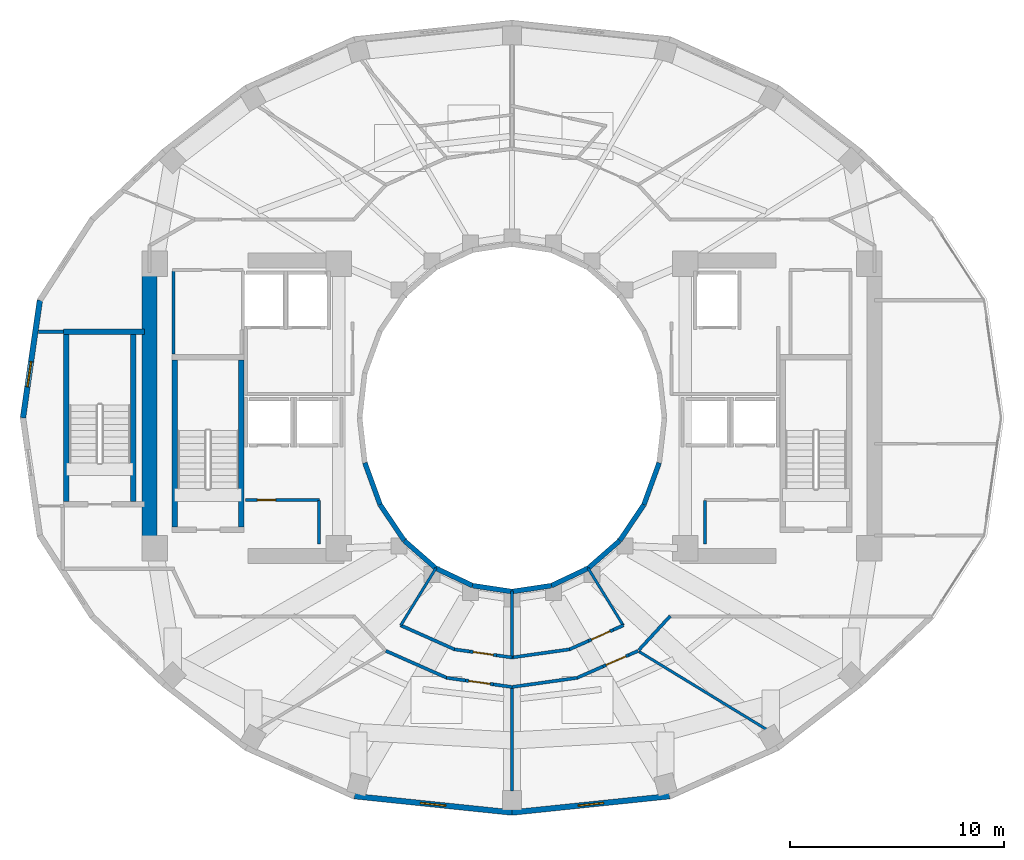
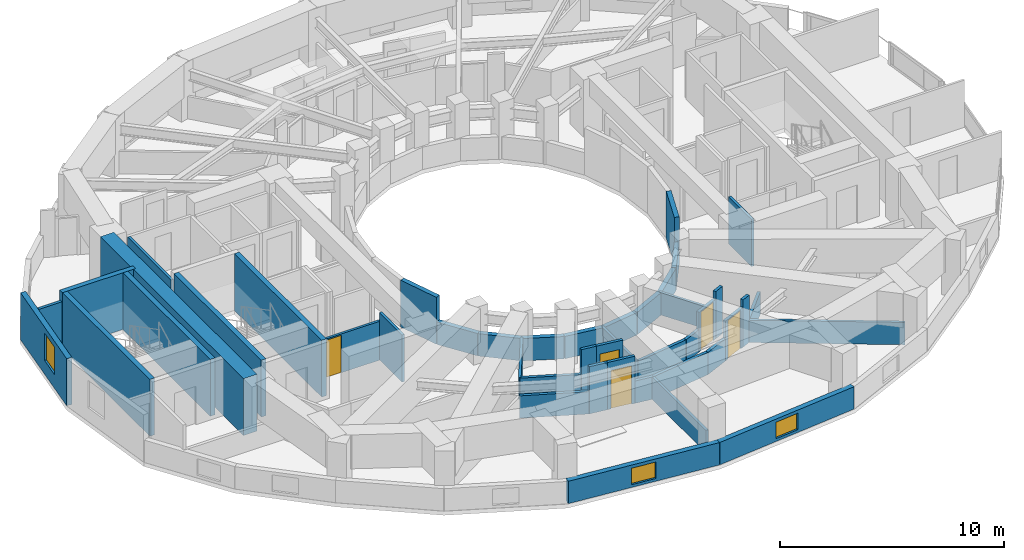
# One storey, part 6 of 13: 46 walls, 5 doors, 3 windows, 8 openings.
"""IFC4 building model written with IfcOpenShell, lengths in metres."""

from ifc_helpers import new_model, si_unit, direction, frame, frame_2d, origin, place, context, subcontext, project, spatial, rectangle, extrude, material, layer, layer_set, type_object, element, fill, save


model = new_model("IFC4")

# Units and contexts
model_context = context("Model", 3, precision=1e-05, world=origin(), true_north=direction((0.0, 1.0)))
body_context = subcontext(model_context, "Body", "Model", "MODEL_VIEW")
ifc_project = project(units=[si_unit("LENGTHUNIT", "METRE"), si_unit("AREAUNIT", "SQUARE_METRE"), si_unit("VOLUMEUNIT", "CUBIC_METRE"), si_unit("PLANEANGLEUNIT", "RADIAN"), si_unit("MASSUNIT", "GRAM", prefix="KILO")], contexts=[model_context])

# Site, building, storey
site_placement = place(None, origin())
site = spatial("IfcSite", under=ifc_project, at=site_placement, CompositionType="ELEMENT")
building_placement = place(site_placement, origin())
building = spatial("IfcBuilding", under=site, at=building_placement, Name="Solvane Sanctuary Tower", CompositionType="ELEMENT")
storey_placement = place(building_placement, frame((0.0, 0.0, 149.800048828125)))
storey = spatial("IfcBuildingStorey", under=building, at=storey_placement, Name="L45", CompositionType="ELEMENT", Elevation=149.800048828125)

# Walls
ifc_material_1 = material(Name="Concrete C60/75", Category="concrete")
ifc_layer_1 = layer(ifc_material_1, 0.699951171875, Name="Concrete C60/75")
ifc_layer_set_1 = layer_set([ifc_layer_1], Name="Concrete C60/75")
wall_type_1 = type_object("IfcWallType", Name="Wall W-CORE-700", PredefinedType="SHEAR", material=ifc_layer_set_1)
wall_1_placement = place(storey_placement, frame((15.050048828125, 17.050048828125, 0.0), z_axis=(0.0, 0.0, 1.0), x_axis=(0.0, 1.0, 0.0)))
element("IfcWall", 1, at=wall_1_placement, inside=storey, type_object=wall_type_1, Name="L45 Core Shear Wall WC-W", PredefinedType="SHEAR", context=body_context, shape_type="SweptSolid", body=[
    extrude(rectangle(XDim=12.800048828125, YDim=0.699951171875, at=frame_2d((6.39990234375, 0.0))), origin(), (0.0, 0.0, 1.0), 3.099853515625),
])
ifc_material_2 = material(Name="Acoustic Gypsum Partition Board")
ifc_layer_2 = layer(ifc_material_2, 0.14990234375, Name="Acoustic Gypsum Partition Board")
ifc_layer_set_2 = layer_set([ifc_layer_2], Name="Acoustic Gypsum Partition Board")
wall_type_2 = type_object("IfcWallType", Name="Wall W-CORR-150", PredefinedType="PARTITIONING", material=ifc_layer_set_2)
wall_2_placement = place(storey_placement, frame((9.869873046875, 27.030029296875, 0.0), z_axis=(0.0, 0.0, 1.0), x_axis=(1.0, 0.0, 0.0)))
element("IfcWall", 2, at=wall_2_placement, inside=storey, type_object=wall_type_2, Name="L45 NW Corner Closer 1", PredefinedType="PARTITIONING", context=body_context, shape_type="SweptSolid", body=[
    extrude(rectangle(XDim=1.170166015625, YDim=0.14990234375, at=frame_2d((0.5849609375, 0.0))), origin(), (0.0, 0.0, 1.0), 2.574951171875),
])
wall_3_placement = place(storey_placement, frame((37.92822265625, 12.144287109375, 0.0), z_axis=(0.0, 0.0, 1.0), x_axis=(0.677579737957, 0.735449317567, 0.0)))
element("IfcWall", 3, at=wall_3_placement, inside=storey, type_object=wall_type_2, Name="L45 SE Corner Throat Wall", PredefinedType="PARTITIONING", context=body_context, shape_type="SweptSolid", body=[
    extrude(rectangle(XDim=2.172607421875, YDim=0.14990234375, at=frame_2d((1.08642578125, 0.0))), origin(), (0.0, 0.0, 1.0), 1.219970703125),
])
wall_4_placement = place(storey_placement, frame((26.792724609375, 13.302734375, 0.0), z_axis=(0.0, 0.0, 1.0), x_axis=(0.913145536541, -0.407633694749, 0.0)))
element("IfcWall", 4, at=wall_4_placement, inside=storey, type_object=wall_type_2, Name="L45 Inner Light-Well Corridor Wall S1", PredefinedType="PARTITIONING", context=body_context, shape_type="SweptSolid", body=[
    extrude(rectangle(XDim=2.75634765625, YDim=0.14990234375, at=frame_2d((1.378173828125, 0.0))), origin(), (0.0, 0.0, 1.0), 1.219970703125),
])
wall_5_placement = place(storey_placement, frame((29.305908203125, 12.18017578125, 0.0), z_axis=(0.0, 0.0, 1.0), x_axis=(0.990156034925, -0.139967948123, 0.0)))
element("IfcWall", 5, at=wall_5_placement, inside=storey, type_object=wall_type_2, Name="L45 Inner Light-Well Corridor Wall S1", PredefinedType="PARTITIONING", context=body_context, shape_type="SweptSolid", body=[
    extrude(rectangle(XDim=0.72900390625, YDim=0.14990234375, at=frame_2d((0.364501953125, 0.0))), origin(), (0.0, 0.0, 1.0), 2.574951171875),
])

# Wall, opening, door
wall_6_placement = place(storey_placement, frame((30.02783203125, 12.078125, 0.0), z_axis=(0.0, 0.0, 1.0), x_axis=(0.990133183593, -0.140129507055, 0.0)))
wall_6 = element("IfcWall", 6, at=wall_6_placement, inside=storey, type_object=wall_type_2, Name="L45 Inner Light-Well Corridor Wall S1", PredefinedType="PARTITIONING", context=body_context, shape_type="SweptSolid", body=[
    extrude(rectangle(XDim=1.27001953125, YDim=0.14990234375, at=frame_2d((0.635009765625, 0.0))), origin(), (0.0, 0.0, 1.0), 2.574951171875),
])
opening_1_placement = place(wall_6_placement, frame((0.159912109375, 0.0, 0.0)))
opening_1 = element("IfcOpeningElement", 7, at=opening_1_placement, cuts=wall_6, Name="Opening D-L45-19", PredefinedType="OPENING", context=body_context, shape_type="SweptSolid", body=[
    extrude(rectangle(XDim=0.949951171875, YDim=2.10009765625, at=frame_2d((0.47509765625, 1.050048828125))), frame((0.0, 0.0849609375, 0.0), z_axis=(0.0, -1.0, 0.0), x_axis=(1.0, 0.0, 0.0)), (0.0, 0.0, 1.0), 0.169921875),
])
ifc_material_3 = material(Name="Engineered Tropical Hardwood", Category="wood")
door_type_1 = type_object("IfcDoorType", Name="Door D-ROOM-950", OperationType="NOTDEFINED", PredefinedType="DOOR", material=ifc_material_3)
door_1_placement = place(opening_1_placement, origin())
door_1 = element("IfcDoor", 8, at=door_1_placement, inside=storey, type_object=door_type_1, Name="L45 Inner Light-Well Salon Door S1", OperationType="SINGLE_SWING_LEFT", OverallHeight=2.10009765625, OverallWidth=0.949951171875, PredefinedType="DOOR", context=body_context, shape_type="SweptSolid", body=[
    extrude(rectangle(XDim=0.949951171875, YDim=2.10009765625, at=frame_2d((0.47509765625, 1.050048828125))), frame((0.0, 0.02490234375, 0.0), z_axis=(0.0, -1.0, 0.0), x_axis=(1.0, 0.0, 0.0)), (0.0, 0.0, 1.0), 0.050048828125),
])
fill(opening_1, door_1)

# Walls
wall_7_placement = place(storey_placement, frame((31.285400390625, 11.900146484375, 0.0), z_axis=(0.0, 0.0, 1.0), x_axis=(0.990156034925, -0.139967948123, 0.0)))
element("IfcWall", 9, at=wall_7_placement, inside=storey, type_object=wall_type_2, Name="L45 Inner Light-Well Corridor Wall S1", PredefinedType="PARTITIONING", context=body_context, shape_type="SweptSolid", body=[
    extrude(rectangle(XDim=0.72900390625, YDim=0.14990234375, at=frame_2d((0.364501953125, 0.0))), origin(), (0.0, 0.0, 1.0), 1.219970703125),
])
wall_8_placement = place(storey_placement, frame((31.99267578125, 11.798095703125, 0.0), z_axis=(0.0, 0.0, 1.0), x_axis=(0.990145400278, 0.140043158738, 0.0)))
element("IfcWall", 10, at=wall_8_placement, inside=storey, type_object=wall_type_2, Name="L45 Inner Light-Well Corridor Wall S2", PredefinedType="PARTITIONING", context=body_context, shape_type="SweptSolid", body=[
    extrude(rectangle(XDim=2.728271484375, YDim=0.14990234375, at=frame_2d((1.3642578125, 0.0))), origin(), (0.0, 0.0, 1.0), 1.219970703125),
])
wall_9_placement = place(storey_placement, frame((34.6904296875, 12.17919921875, 0.0), z_axis=(0.0, 0.0, 1.0), x_axis=(0.913164738684, 0.407590677057, 0.0)))
element("IfcWall", 11, at=wall_9_placement, inside=storey, type_object=wall_type_2, Name="L45 Inner Light-Well Corridor Wall S2", PredefinedType="PARTITIONING", context=body_context, shape_type="SweptSolid", body=[
    extrude(rectangle(XDim=0.966796875, YDim=0.14990234375, at=frame_2d((0.4833984375, 0.0))), origin(), (0.0, 0.0, 1.0), 1.219970703125),
])

# Wall, opening, door
wall_10_placement = place(storey_placement, frame((35.5732421875, 12.5732421875, 0.0), z_axis=(0.0, 0.0, 1.0), x_axis=(0.913104656548, 0.407725258219, 0.0)))
wall_10 = element("IfcWall", 12, at=wall_10_placement, inside=storey, type_object=wall_type_2, Name="L45 Inner Light-Well Corridor Wall S2", PredefinedType="PARTITIONING", context=body_context, shape_type="SweptSolid", body=[
    extrude(rectangle(XDim=1.27001953125, YDim=0.14990234375, at=frame_2d((0.635009765625, 0.0))), origin(), (0.0, 0.0, 1.0), 2.159912109375),
])
opening_2_placement = place(wall_10_placement, frame((0.159912109375, 0.0, 0.0)))
opening_2 = element("IfcOpeningElement", 13, at=opening_2_placement, cuts=wall_10, Name="Opening D-L45-20", PredefinedType="OPENING", context=body_context, shape_type="SweptSolid", body=[
    extrude(rectangle(XDim=0.949951171875, YDim=2.10009765625, at=frame_2d((0.47509765625, 1.050048828125))), frame((0.0, 0.0849609375, 0.0), z_axis=(0.0, -1.0, 0.0), x_axis=(1.0, 0.0, 0.0)), (0.0, 0.0, 1.0), 0.169921875),
])
door_2_placement = place(opening_2_placement, origin())
door_2 = element("IfcDoor", 14, at=door_2_placement, inside=storey, type_object=door_type_1, Name="L45 Inner Light-Well Salon Door S2", OperationType="SINGLE_SWING_RIGHT", OverallHeight=2.10009765625, OverallWidth=0.949951171875, PredefinedType="DOOR", context=body_context, shape_type="SweptSolid", body=[
    extrude(rectangle(XDim=0.949951171875, YDim=2.10009765625, at=frame_2d((0.47509765625, 1.050048828125))), frame((0.0, 0.02490234375, 0.0), z_axis=(0.0, -1.0, 0.0), x_axis=(1.0, 0.0, 0.0)), (0.0, 0.0, 1.0), 0.050048828125),
])
fill(opening_2, door_2)

# Walls
wall_11_placement = place(storey_placement, frame((36.73291015625, 13.091064453125, 0.0), z_axis=(0.0, 0.0, 1.0), x_axis=(0.913209724119, 0.407489876897, 0.0)))
element("IfcWall", 15, at=wall_11_placement, inside=storey, type_object=wall_type_2, Name="L45 Inner Light-Well Corridor Wall S2", PredefinedType="PARTITIONING", context=body_context, shape_type="SweptSolid", body=[
    extrude(rectangle(XDim=0.51953125, YDim=0.14990234375, at=frame_2d((0.259765625, 0.0))), origin(), (0.0, 0.0, 1.0), 2.574951171875),
])
wall_12_placement = place(storey_placement, frame((26.101806640625, 12.108154296875, 0.0), z_axis=(0.0, 0.0, 1.0), x_axis=(0.914519212393, -0.40454247016, 0.0)))
element("IfcWall", 16, at=wall_12_placement, inside=storey, type_object=wall_type_2, Name="L45 Unit Corridor Wall S1", PredefinedType="PARTITIONING", context=body_context, shape_type="SweptSolid", body=[
    extrude(rectangle(XDim=3.123779296875, YDim=0.14990234375, at=frame_2d((1.56201171875, 0.0))), origin(), (0.0, 0.0, 1.0), 1.219970703125),
])
wall_13_placement = place(storey_placement, frame((28.942626953125, 10.84912109375, 0.0), z_axis=(0.0, 0.0, 1.0), x_axis=(0.990238800444, -0.139381197064, 0.0)))
element("IfcWall", 17, at=wall_13_placement, inside=storey, type_object=wall_type_2, Name="L45 Unit Corridor Wall S1", PredefinedType="PARTITIONING", context=body_context, shape_type="SweptSolid", body=[
    extrude(rectangle(XDim=0.88818359375, YDim=0.14990234375, at=frame_2d((0.444091796875, 0.0))), origin(), (0.0, 0.0, 1.0), 2.574951171875),
])

# Wall, opening, door
wall_14_placement = place(storey_placement, frame((29.822021484375, 10.725341796875, 0.0), z_axis=(0.0, 0.0, 1.0), x_axis=(0.990250599082, -0.139297347489, 0.0)))
wall_14 = element("IfcWall", 18, at=wall_14_placement, inside=storey, type_object=wall_type_2, Name="L45 Unit Corridor Wall S1", PredefinedType="PARTITIONING", context=body_context, shape_type="SweptSolid", body=[
    extrude(rectangle(XDim=1.31982421875, YDim=0.14990234375, at=frame_2d((0.659912109375, 0.0))), origin(), (0.0, 0.0, 1.0), 2.574951171875),
])
opening_3_placement = place(wall_14_placement, frame((0.159912109375, 0.0, 0.0)))
opening_3 = element("IfcOpeningElement", 19, at=opening_3_placement, cuts=wall_14, Name="Opening D-L45-26", PredefinedType="OPENING", context=body_context, shape_type="SweptSolid", body=[
    extrude(rectangle(XDim=1.0, YDim=2.10009765625, at=frame_2d((0.5, 1.050048828125))), frame((0.0, 0.0849609375, 0.0), z_axis=(0.0, -1.0, 0.0), x_axis=(1.0, 0.0, 0.0)), (0.0, 0.0, 1.0), 0.169921875),
])
door_type_2 = type_object("IfcDoorType", Name="Door D-UNIT", OperationType="NOTDEFINED", PredefinedType="DOOR", material=ifc_material_3)
door_3_placement = place(opening_3_placement, origin())
door_3 = element("IfcDoor", 20, at=door_3_placement, inside=storey, type_object=door_type_2, Name="L45 Unit Entrance Door S1", OperationType="SINGLE_SWING_RIGHT", OverallHeight=2.10009765625, OverallWidth=1.0, PredefinedType="DOOR", context=body_context, shape_type="SweptSolid", body=[
    extrude(rectangle(XDim=1.0, YDim=2.10009765625, at=frame_2d((0.5, 1.050048828125))), frame((0.0, 0.02490234375, 0.0), z_axis=(0.0, -1.0, 0.0), x_axis=(1.0, 0.0, 0.0)), (0.0, 0.0, 1.0), 0.050048828125),
])
fill(opening_3, door_3)

# Walls
wall_15_placement = place(storey_placement, frame((31.12890625, 10.54150390625, 0.0), z_axis=(0.0, 0.0, 1.0), x_axis=(0.990276708961, -0.139111608755, 0.0)))
element("IfcWall", 21, at=wall_15_placement, inside=storey, type_object=wall_type_2, Name="L45 Unit Corridor Wall S1", PredefinedType="PARTITIONING", context=body_context, shape_type="SweptSolid", body=[
    extrude(rectangle(XDim=0.887939453125, YDim=0.14990234375, at=frame_2d((0.44384765625, 0.0))), origin(), (0.0, 0.0, 1.0), 1.219970703125),
])
wall_16_placement = place(storey_placement, frame((31.99169921875, 10.41796875, 0.0), z_axis=(0.0, 0.0, 1.0), x_axis=(0.990254709652, 0.13926812274, 0.0)))
element("IfcWall", 22, at=wall_16_placement, inside=storey, type_object=wall_type_2, Name="L45 Unit Corridor Wall S2", PredefinedType="PARTITIONING", context=body_context, shape_type="SweptSolid", body=[
    extrude(rectangle(XDim=3.095947265625, YDim=0.14990234375, at=frame_2d((1.5478515625, 0.0))), origin(), (0.0, 0.0, 1.0), 1.219970703125),
])
wall_17_placement = place(storey_placement, frame((35.04150390625, 10.844482421875, 0.0), z_axis=(0.0, 0.0, 1.0), x_axis=(0.91450660596, 0.40457096739, 0.0)))
element("IfcWall", 23, at=wall_17_placement, inside=storey, type_object=wall_type_2, Name="L45 Unit Corridor Wall S2", PredefinedType="PARTITIONING", context=body_context, shape_type="SweptSolid", body=[
    extrude(rectangle(XDim=1.330078125, YDim=0.14990234375, at=frame_2d((0.6650390625, 0.0))), origin(), (0.0, 0.0, 1.0), 1.219970703125),
])

# Wall, opening, door
wall_18_placement = place(storey_placement, frame((36.2578125, 11.382568359375, 0.0), z_axis=(0.0, 0.0, 1.0), x_axis=(0.914519545761, 0.404541716541, 0.0)))
wall_18 = element("IfcWall", 24, at=wall_18_placement, inside=storey, type_object=wall_type_2, Name="L45 Unit Corridor Wall S2", PredefinedType="PARTITIONING", context=body_context, shape_type="SweptSolid", body=[
    extrude(rectangle(XDim=1.31982421875, YDim=0.14990234375, at=frame_2d((0.659912109375, 0.0))), origin(), (0.0, 0.0, 1.0), 2.159912109375),
])
opening_4_placement = place(wall_18_placement, frame((0.159912109375, 0.0, 0.0)))
opening_4 = element("IfcOpeningElement", 25, at=opening_4_placement, cuts=wall_18, Name="Opening D-L45-27", PredefinedType="OPENING", context=body_context, shape_type="SweptSolid", body=[
    extrude(rectangle(XDim=1.0, YDim=2.10009765625, at=frame_2d((0.5, 1.050048828125))), frame((0.0, 0.0849609375, 0.0), z_axis=(0.0, -1.0, 0.0), x_axis=(1.0, 0.0, 0.0)), (0.0, 0.0, 1.0), 0.169921875),
])
door_4_placement = place(opening_4_placement, origin())
door_4 = element("IfcDoor", 26, at=door_4_placement, inside=storey, type_object=door_type_2, Name="L45 Unit Entrance Door S2", OperationType="SINGLE_SWING_LEFT", OverallHeight=2.10009765625, OverallWidth=1.0, PredefinedType="DOOR", context=body_context, shape_type="SweptSolid", body=[
    extrude(rectangle(XDim=1.0, YDim=2.10009765625, at=frame_2d((0.5, 1.050048828125))), frame((0.0, 0.02490234375, 0.0), z_axis=(0.0, -1.0, 0.0), x_axis=(1.0, 0.0, 0.0)), (0.0, 0.0, 1.0), 0.050048828125),
])
fill(opening_4, door_4)

# Wall
wall_19_placement = place(storey_placement, frame((37.46484375, 11.91650390625, 0.0), z_axis=(0.0, 0.0, 1.0), x_axis=(0.914553664309, 0.4044645783, 0.0)))
element("IfcWall", 27, at=wall_19_placement, inside=storey, type_object=wall_type_2, Name="L45 Unit Corridor Wall S2", PredefinedType="PARTITIONING", context=body_context, shape_type="SweptSolid", body=[
    extrude(rectangle(XDim=0.473876953125, YDim=0.14990234375, at=frame_2d((0.23681640625, 0.0))), origin(), (0.0, 0.0, 1.0), 2.574951171875),
])

# Wall, opening, window
ifc_material_4 = material(Name="Precast concrete C40/50", Category="concrete")
ifc_layer_3 = layer(ifc_material_4, 0.260009765625, Name="Precast concrete C40/50")
ifc_layer_set_3 = layer_set([ifc_layer_3], Name="Precast concrete C40/50")
wall_type_3 = type_object("IfcWallType", Name="Wall W-EXT-250", PredefinedType="STANDARD", material=ifc_layer_set_3)
wall_20_placement = place(storey_placement, frame((9.9296875, 28.49658203125, 0.0), z_axis=(0.0, 0.0, 1.0), x_axis=(-0.142227632286, -0.989833976288, 0.0)))
wall_20 = element("IfcWall", 28, at=wall_20_placement, inside=storey, type_object=wall_type_3, Name="L45 Ceramic-Printed Facade Wall 11", PredefinedType="STANDARD", context=body_context, shape_type="SweptSolid", body=[
    extrude(rectangle(XDim=5.552978515625, YDim=0.260009765625, at=frame_2d((2.7763671875, 0.0))), origin(), (0.0, 0.0, 1.0), 2.570068359375),
])
opening_5_placement = place(wall_20_placement, frame((2.892333984375, 0.0, 0.75)))
opening_5 = element("IfcOpeningElement", 29, at=opening_5_placement, cuts=wall_20, Name="Opening WN-OPER-1200", PredefinedType="OPENING", context=body_context, shape_type="SweptSolid", body=[
    extrude(rectangle(XDim=1.199951171875, YDim=1.5, at=frame_2d((0.60009765625, 0.75))), frame((0.0, 0.139892578125, 0.0), z_axis=(0.0, -1.0, 0.0), x_axis=(1.0, 0.0, 0.0)), (0.0, 0.0, 1.0), 0.280029296875),
])
ifc_material_5 = material(Name="Dark Ceramic-Fritted Low-E Glass", Category="glass")
window_type = type_object("IfcWindowType", Name="Window WN-OPER-1200", PartitioningType="SINGLE_PANEL", PredefinedType="WINDOW", material=ifc_material_5)
window_1_placement = place(opening_5_placement, origin())
window_1 = element("IfcWindow", 30, at=window_1_placement, inside=storey, type_object=window_type, Name="L45 Operable Facade Window 11", OverallHeight=1.5, OverallWidth=1.199951171875, PartitioningType="SINGLE_PANEL", PredefinedType="WINDOW", context=body_context, shape_type="SweptSolid", body=[
    extrude(rectangle(XDim=1.199951171875, YDim=1.5, at=frame_2d((0.60009765625, 0.75))), frame((0.0, 0.030029296875, 0.0), z_axis=(0.0, -1.0, 0.0), x_axis=(1.0, 0.0, 0.0)), (0.0, 0.0, 1.0), 0.06005859375),
])
fill(opening_5, window_1)

wall_21_placement = place(storey_placement, frame((24.634765625, 5.3154296875, 0.0), z_axis=(0.0, 0.0, 1.0), x_axis=(0.994664178965, -0.10316574569, 0.0)))
wall_21 = element("IfcWall", 31, at=wall_21_placement, inside=storey, type_object=wall_type_3, Name="L45 Ceramic-Printed Facade Wall 17", PredefinedType="STANDARD", context=body_context, shape_type="SweptSolid", body=[
    extrude(rectangle(XDim=7.40478515625, YDim=0.260009765625, at=frame_2d((3.702392578125, 0.0))), origin(), (0.0, 0.0, 1.0), 1.219970703125),
])
opening_6_placement = place(wall_21_placement, frame((3.102294921875, 0.0, 0.14990234375)))
opening_6 = element("IfcOpeningElement", 32, at=opening_6_placement, cuts=wall_21, Name="Opening WN-OPER-1200", PredefinedType="OPENING", context=body_context, shape_type="SweptSolid", body=[
    extrude(rectangle(XDim=1.199951171875, YDim=0.89990234375, at=frame_2d((0.60009765625, 0.449951171875))), frame((0.0, 0.139892578125, 0.0), z_axis=(0.0, -1.0, 0.0), x_axis=(1.0, 0.0, 0.0)), (0.0, 0.0, 1.0), 0.280029296875),
])
window_2_placement = place(opening_6_placement, origin())
window_2 = element("IfcWindow", 33, at=window_2_placement, inside=storey, type_object=window_type, Name="L45 Operable Facade Window 17", OverallHeight=0.89990234375, OverallWidth=1.199951171875, PartitioningType="SINGLE_PANEL", PredefinedType="WINDOW", context=body_context, shape_type="SweptSolid", body=[
    extrude(rectangle(XDim=1.199951171875, YDim=0.89990234375, at=frame_2d((0.60009765625, 0.449951171875))), frame((0.0, 0.030029296875, 0.0), z_axis=(0.0, -1.0, 0.0), x_axis=(1.0, 0.0, 0.0)), (0.0, 0.0, 1.0), 0.06005859375),
])
fill(opening_6, window_2)

wall_22_placement = place(storey_placement, frame((32.0, 4.551513671875, 0.0), z_axis=(0.0, 0.0, 1.0), x_axis=(0.994664178965, 0.10316574569, 0.0)))
wall_22 = element("IfcWall", 34, at=wall_22_placement, inside=storey, type_object=wall_type_3, Name="L45 Ceramic-Printed Facade Wall 18", PredefinedType="STANDARD", context=body_context, shape_type="SweptSolid", body=[
    extrude(rectangle(XDim=7.40478515625, YDim=0.260009765625, at=frame_2d((3.702392578125, 0.0))), origin(), (0.0, 0.0, 1.0), 1.219970703125),
])
opening_7_placement = place(wall_22_placement, frame((3.102294921875, 0.0, 0.14990234375)))
opening_7 = element("IfcOpeningElement", 35, at=opening_7_placement, cuts=wall_22, Name="Opening WN-OPER-1200", PredefinedType="OPENING", context=body_context, shape_type="SweptSolid", body=[
    extrude(rectangle(XDim=1.199951171875, YDim=0.89990234375, at=frame_2d((0.60009765625, 0.449951171875))), frame((0.0, 0.139892578125, 0.0), z_axis=(0.0, -1.0, 0.0), x_axis=(1.0, 0.0, 0.0)), (0.0, 0.0, 1.0), 0.280029296875),
])
window_3_placement = place(opening_7_placement, origin())
window_3 = element("IfcWindow", 36, at=window_3_placement, inside=storey, type_object=window_type, Name="L45 Operable Facade Window 18", OverallHeight=0.89990234375, OverallWidth=1.199951171875, PartitioningType="SINGLE_PANEL", PredefinedType="WINDOW", context=body_context, shape_type="SweptSolid", body=[
    extrude(rectangle(XDim=1.199951171875, YDim=0.89990234375, at=frame_2d((0.60009765625, 0.449951171875))), frame((0.0, 0.030029296875, 0.0), z_axis=(0.0, -1.0, 0.0), x_axis=(1.0, 0.0, 0.0)), (0.0, 0.0, 1.0), 0.06005859375),
])
fill(opening_7, window_3)

# Walls
ifc_layer_4 = layer(ifc_material_4, 0.22998046875, Name="Precast concrete C40/50")
ifc_layer_set_4 = layer_set([ifc_layer_4], Name="Precast concrete C40/50")
wall_type_4 = type_object("IfcWallType", Name="Wall W-EXT-SP220", PredefinedType="STANDARD", material=ifc_layer_set_4)
wall_23_placement = place(storey_placement, frame((25.12255859375, 20.8984375, 0.0), z_axis=(0.0, 0.0, 1.0), x_axis=(0.341423187295, -0.93990968033, 0.0)))
element("IfcWall", 37, at=wall_23_placement, inside=storey, type_object=wall_type_4, Name="L45 Central Light-Well Wall 13", PredefinedType="STANDARD", context=body_context, shape_type="SweptSolid", body=[
    extrude(rectangle(XDim=2.083740234375, YDim=0.22998046875, at=frame_2d((1.0419921875, 0.0))), origin(), (0.0, 0.0, 1.0), 2.56005859375),
])
wall_24_placement = place(storey_placement, frame((25.833984375, 18.93994140625, 0.0), z_axis=(0.0, 0.0, 1.0), x_axis=(0.558197800898, -0.829707909492, 0.0)))
element("IfcWall", 38, at=wall_24_placement, inside=storey, type_object=wall_type_4, Name="L45 Central Light-Well Wall 14", PredefinedType="STANDARD", context=body_context, shape_type="SweptSolid", body=[
    extrude(rectangle(XDim=2.02685546875, YDim=0.22998046875, at=frame_2d((1.013427734375, 0.0))), origin(), (0.0, 0.0, 1.0), 1.219970703125),
])
wall_25_placement = place(storey_placement, frame((26.96533203125, 17.25830078125, 0.0), z_axis=(0.0, 0.0, 1.0), x_axis=(0.752576694707, -0.658504607869, 0.0)))
element("IfcWall", 39, at=wall_25_placement, inside=storey, type_object=wall_type_4, Name="L45 Central Light-Well Wall 15", PredefinedType="STANDARD", context=body_context, shape_type="SweptSolid", body=[
    extrude(rectangle(XDim=1.95947265625, YDim=0.22998046875, at=frame_2d((0.979736328125, 0.0))), origin(), (0.0, 0.0, 1.0), 1.219970703125),
])
wall_26_placement = place(storey_placement, frame((28.43994140625, 15.968017578125, 0.0), z_axis=(0.0, 0.0, 1.0), x_axis=(0.904179699603, -0.427152280606, 0.0)))
element("IfcWall", 40, at=wall_26_placement, inside=storey, type_object=wall_type_4, Name="L45 Central Light-Well Wall 16", PredefinedType="STANDARD", context=body_context, shape_type="SweptSolid", body=[
    extrude(rectangle(XDim=1.899169921875, YDim=0.22998046875, at=frame_2d((0.94970703125, 0.0))), origin(), (0.0, 0.0, 1.0), 1.219970703125),
])
for number, where, z_axis, x_axis, name in (
    (41, (30.1572265625, 15.15673828125, 0.0), (0.0, 0.0, 1.0), (0.988901730308, -0.148571086668, 0.0), "L45 Central Light-Well Wall 17"),
    (42, (32.0, 14.8798828125, 0.0), (0.0, 0.0, 1.0), (0.988901730308, 0.148571086668, 0.0), "L45 Central Light-Well Wall 18"),
):
    element("IfcWall", number, at=place(storey_placement, frame(where, z_axis=z_axis, x_axis=x_axis)), inside=storey, type_object=wall_type_4, Name=name, PredefinedType="STANDARD", context=body_context, shape_type="SweptSolid", body=[
        extrude(rectangle(XDim=1.863525390625, YDim=0.22998046875, at=frame_2d((0.931640625, 0.0))), origin(), (0.0, 0.0, 1.0), 1.219970703125),
    ])
wall_27_placement = place(storey_placement, frame((33.8427734375, 15.15673828125, 0.0), z_axis=(0.0, 0.0, 1.0), x_axis=(0.904179699603, 0.427152280606, 0.0)))
element("IfcWall", 43, at=wall_27_placement, inside=storey, type_object=wall_type_4, Name="L45 Central Light-Well Wall 19", PredefinedType="STANDARD", context=body_context, shape_type="SweptSolid", body=[
    extrude(rectangle(XDim=1.899169921875, YDim=0.22998046875, at=frame_2d((0.94970703125, 0.0))), origin(), (0.0, 0.0, 1.0), 1.219970703125),
])
wall_28_placement = place(storey_placement, frame((35.56005859375, 15.968017578125, 0.0), z_axis=(0.0, 0.0, 1.0), x_axis=(0.752576694707, 0.658504607869, 0.0)))
element("IfcWall", 44, at=wall_28_placement, inside=storey, type_object=wall_type_4, Name="L45 Central Light-Well Wall 20", PredefinedType="STANDARD", context=body_context, shape_type="SweptSolid", body=[
    extrude(rectangle(XDim=1.95947265625, YDim=0.22998046875, at=frame_2d((0.979736328125, 0.0))), origin(), (0.0, 0.0, 1.0), 1.219970703125),
])
wall_29_placement = place(storey_placement, frame((37.03466796875, 17.25830078125, 0.0), z_axis=(0.0, 0.0, 1.0), x_axis=(0.558197800898, 0.829707909492, 0.0)))
element("IfcWall", 45, at=wall_29_placement, inside=storey, type_object=wall_type_4, Name="L45 Central Light-Well Wall 21", PredefinedType="STANDARD", context=body_context, shape_type="SweptSolid", body=[
    extrude(rectangle(XDim=2.02685546875, YDim=0.22998046875, at=frame_2d((1.013427734375, 0.0))), origin(), (0.0, 0.0, 1.0), 1.219970703125),
])
wall_30_placement = place(storey_placement, frame((38.166015625, 18.93994140625, 0.0), z_axis=(0.0, 0.0, 1.0), x_axis=(0.341423187295, 0.93990968033, 0.0)))
element("IfcWall", 46, at=wall_30_placement, inside=storey, type_object=wall_type_4, Name="L45 Central Light-Well Wall 22", PredefinedType="STANDARD", context=body_context, shape_type="SweptSolid", body=[
    extrude(rectangle(XDim=2.083740234375, YDim=0.22998046875, at=frame_2d((1.0419921875, 0.0))), origin(), (0.0, 0.0, 1.0), 2.56005859375),
])

# Wall, opening, door
ifc_layer_5 = layer(ifc_material_2, 0.125, Name="Acoustic Gypsum Partition Board")
ifc_layer_set_5 = layer_set([ifc_layer_5], Name="Acoustic Gypsum Partition Board")
wall_type_5 = type_object("IfcWallType", Name="Wall W-PART-125", PredefinedType="PARTITIONING", material=ifc_layer_set_5)
wall_31_placement = place(storey_placement, frame((19.550048828125, 19.159912109375, 0.0), z_axis=(0.0, 0.0, 1.0), x_axis=(1.0, 0.0, 0.0)))
wall_31 = element("IfcWall", 47, at=wall_31_placement, inside=storey, type_object=wall_type_5, Name="L45 Reclaimed Room Partition PLW", PredefinedType="PARTITIONING", context=body_context, shape_type="SweptSolid", body=[
    extrude(rectangle(XDim=3.449951171875, YDim=0.125, at=frame_2d((1.72509765625, 0.0))), origin(), (0.0, 0.0, 1.0), 2.119873046875),
])
opening_8_placement = place(wall_31_placement, frame((0.550048828125, 0.0, 0.0)))
opening_8 = element("IfcOpeningElement", 48, at=opening_8_placement, cuts=wall_31, Name="Opening D-L45-06", PredefinedType="OPENING", context=body_context, shape_type="SweptSolid", body=[
    extrude(rectangle(XDim=0.85009765625, YDim=2.050048828125, at=frame_2d((0.425048828125, 1.02490234375))), frame((0.0, 0.072509765625, 0.0), z_axis=(0.0, -1.0, 0.0), x_axis=(1.0, 0.0, 0.0)), (0.0, 0.0, 1.0), 0.14501953125),
])
ifc_material_6 = material(Name="Architectural Stainless Steel 316", Category="steel")
door_type_3 = type_object("IfcDoorType", Name="Door D-RISER", OperationType="NOTDEFINED", PredefinedType="DOOR", material=ifc_material_6)
door_5_placement = place(opening_8_placement, origin())
door_5 = element("IfcDoor", 49, at=door_5_placement, inside=storey, type_object=door_type_3, Name="L45 Reclaimed Room Door PLW-1", OperationType="SINGLE_SWING_RIGHT", OverallHeight=2.050048828125, OverallWidth=0.85009765625, PredefinedType="DOOR", context=body_context, shape_type="SweptSolid", body=[
    extrude(rectangle(XDim=0.85009765625, YDim=2.050048828125, at=frame_2d((0.425048828125, 1.02490234375))), frame((0.0, 0.02490234375, 0.0), z_axis=(0.0, -1.0, 0.0), x_axis=(1.0, 0.0, 0.0)), (0.0, 0.0, 1.0), 0.050048828125),
])
fill(opening_8, door_5)

# Walls
for number, where, z_axis, x_axis, name in (
    (50, (22.97998046875, 17.10009765625, 0.0), (0.0, 0.0, 1.0), (0.0, 1.0, 0.0), "L45 Reclaimed Room Closer Wall PLW-1"),
    (51, (41.02001953125, 17.10009765625, 0.0), (0.0, 0.0, 1.0), (0.0, 1.0, 0.0), "L45 Reclaimed Room Closer Wall PLE-1"),
):
    element("IfcWall", number, at=place(storey_placement, frame(where, z_axis=z_axis, x_axis=x_axis)), inside=storey, type_object=wall_type_5, Name=name, PredefinedType="PARTITIONING", context=body_context, shape_type="SweptSolid", body=[
        extrude(rectangle(XDim=2.039794921875, YDim=0.125, at=frame_2d((1.02001953125, 0.0))), origin(), (0.0, 0.0, 1.0), 2.574951171875),
    ])
wall_32_placement = place(storey_placement, frame((28.449951171875, 15.985107421875, 0.0), z_axis=(0.0, 0.0, 1.0), x_axis=(-0.523587550846, -0.851971875474, 0.0)))
element("IfcWall", 52, at=wall_32_placement, inside=storey, type_object=wall_type_5, Name="L45 Inner Light-Well Radial Wall 240", PredefinedType="PARTITIONING", context=body_context, shape_type="SweptSolid", body=[
    extrude(rectangle(XDim=3.153076171875, YDim=0.125, at=frame_2d((1.57666015625, 0.0))), origin(), (0.0, 0.0, 1.0), 1.219970703125),
])
wall_33_placement = place(storey_placement, frame((32.0, 14.89990234375, 0.0), z_axis=(0.0, 0.0, 1.0), x_axis=(0.0, -1.0, 0.0)))
element("IfcWall", 53, at=wall_33_placement, inside=storey, type_object=wall_type_5, Name="L45 Inner Light-Well Radial Wall 270", PredefinedType="PARTITIONING", context=body_context, shape_type="SweptSolid", body=[
    extrude(rectangle(XDim=3.101806640625, YDim=0.125, at=frame_2d((1.55078125, 0.0))), origin(), (0.0, 0.0, 1.0), 1.219970703125),
])
wall_34_placement = place(storey_placement, frame((35.550048828125, 15.985107421875, 0.0), z_axis=(0.0, 0.0, 1.0), x_axis=(0.523587550846, -0.851971875474, 0.0)))
element("IfcWall", 54, at=wall_34_placement, inside=storey, type_object=wall_type_5, Name="L45 Inner Light-Well Radial Wall 300", PredefinedType="PARTITIONING", context=body_context, shape_type="SweptSolid", body=[
    extrude(rectangle(XDim=3.153076171875, YDim=0.125, at=frame_2d((1.57666015625, 0.0))), origin(), (0.0, 0.0, 1.0), 1.219970703125),
])
wall_35_placement = place(storey_placement, frame((32.0, 10.363037109375, 0.0), z_axis=(0.0, 0.0, 1.0), x_axis=(0.0, -1.0, 0.0)))
element("IfcWall", 55, at=wall_35_placement, inside=storey, type_object=wall_type_5, Name="L45 Radial Compartment Wall 270", PredefinedType="PARTITIONING", context=body_context, shape_type="SweptSolid", body=[
    extrude(rectangle(XDim=4.81298828125, YDim=0.125, at=frame_2d((2.406494140625, 0.0))), origin(), (0.0, 0.0, 1.0), 1.219970703125),
])
wall_36_placement = place(storey_placement, frame((37.93798828125, 12.074951171875, 0.0), z_axis=(0.0, 0.0, 1.0), x_axis=(0.853440334679, -0.521190555501, 0.0)))
element("IfcWall", 56, at=wall_36_placement, inside=storey, type_object=wall_type_5, Name="L45 Radial Compartment Wall 300", PredefinedType="PARTITIONING", context=body_context, shape_type="SweptSolid", body=[
    extrude(rectangle(XDim=6.966064453125, YDim=0.125, at=frame_2d((3.48291015625, 0.0))), origin(), (0.0, 0.0, 1.0), 1.219970703125),
])
ifc_material_7 = material(Name="Concrete C50/60", Category="concrete")
ifc_layer_6 = layer(ifc_material_7, 0.25, Name="Concrete C50/60")
ifc_layer_set_6 = layer_set([ifc_layer_6], Name="Concrete C50/60")
wall_type_6 = type_object("IfcWallType", Name="Wall W-SHAFT-250", PredefinedType="SOLIDWALL", material=ifc_layer_set_6)
for number, where, z_axis, x_axis, name in (
    (57, (16.22998046875, 17.89501953125, 0.0), (0.0, 0.0, 1.0), (0.0, 1.0, 0.0), "L45 ST-1 Load-Bearing Shaft Wall W"),
    (58, (19.35009765625, 17.89501953125, 0.0), (0.0, 0.0, 1.0), (0.0, 1.0, 0.0), "L45 ST-1 Load-Bearing Shaft Wall E"),
):
    element("IfcWall", number, at=place(storey_placement, frame(where, z_axis=z_axis, x_axis=x_axis)), inside=storey, type_object=wall_type_6, Name=name, PredefinedType="SOLIDWALL", context=body_context, shape_type="SweptSolid", body=[
        extrude(rectangle(XDim=7.81005859375, YDim=0.25, at=frame_2d((3.905029296875, 0.0))), origin(), (0.0, 0.0, 1.0), 3.099853515625),
    ])
wall_37_placement = place(storey_placement, frame((11.044921875, 27.030029296875, 0.0), z_axis=(0.0, 0.0, 1.0), x_axis=(1.0, 0.0, 0.0)))
element("IfcWall", 59, at=wall_37_placement, inside=storey, type_object=wall_type_6, Name="L45 ST-3 Load-Bearing Shaft Wall N", PredefinedType="SOLIDWALL", context=body_context, shape_type="SweptSolid", body=[
    extrude(rectangle(XDim=3.781982421875, YDim=0.25, at=frame_2d((1.89111328125, 0.0))), origin(), (0.0, 0.0, 1.0), 3.099853515625),
])
for number, where, z_axis, x_axis, name in (
    (60, (11.169921875, 19.094970703125, 0.0), (0.0, 0.0, 1.0), (0.0, 1.0, 0.0), "L45 ST-3 Load-Bearing Shaft Wall W"),
    (61, (14.2900390625, 19.094970703125, 0.0), (0.0, 0.0, 1.0), (0.0, 1.0, 0.0), "L45 ST-3 Load-Bearing Shaft Wall E"),
):
    element("IfcWall", number, at=place(storey_placement, frame(where, z_axis=z_axis, x_axis=x_axis)), inside=storey, type_object=wall_type_6, Name=name, PredefinedType="SOLIDWALL", context=body_context, shape_type="SweptSolid", body=[
        extrude(rectangle(XDim=7.81005859375, YDim=0.25, at=frame_2d((3.905029296875, 0.0))), origin(), (0.0, 0.0, 1.0), 3.099853515625),
    ])
ifc_layer_7 = layer(ifc_material_2, 0.139892578125, Name="Acoustic Gypsum Partition Board")
ifc_layer_set_7 = layer_set([ifc_layer_7], Name="Acoustic Gypsum Partition Board")
wall_type_7 = type_object("IfcWallType", Name="Wall W-WET-140", PredefinedType="PLUMBINGWALL", material=ifc_layer_set_7)
wall_38_placement = place(storey_placement, frame((16.179931640625, 25.97998046875, 0.0), z_axis=(0.0, 0.0, 1.0), x_axis=(0.0, 1.0, 0.0)))
element("IfcWall", 62, at=wall_38_placement, inside=storey, type_object=wall_type_7, Name="L45 Core Service Side Wall KW0-1", PredefinedType="PLUMBINGWALL", context=body_context, shape_type="SweptSolid", body=[
    extrude(rectangle(XDim=3.880126953125, YDim=0.139892578125, at=frame_2d((1.93994140625, 0.0))), origin(), (0.0, 0.0, 1.0), 2.574951171875),
])

save(model, "model.ifc")
